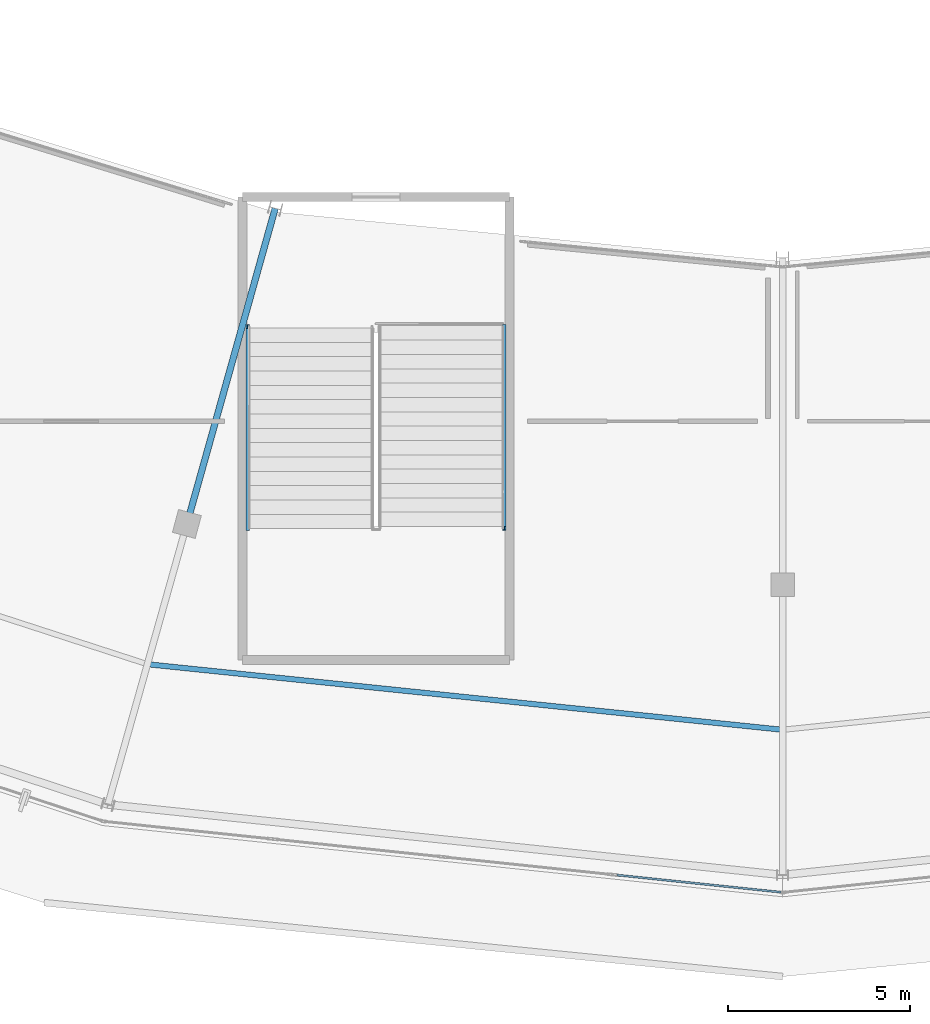
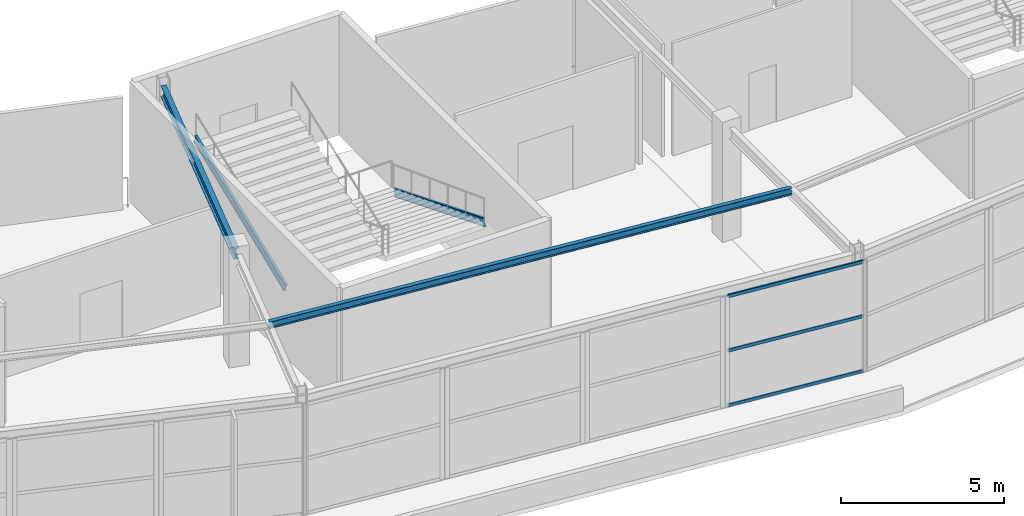
# One storey, part 36 of 126: 5 members, 2 beams, 1 element without a shape of its own.
"""IFC4 building model written with IfcOpenShell, lengths in metres."""

from ifc_helpers import new_model, si_unit, direction, frame, origin, origin_2d, place, context, subcontext, project, spatial, hollow_rectangle, i_section, extrude, material, layer, layer_set, material_profile, profile_set, type_object, element, aggregate, save


model = new_model("IFC4")

# Units and contexts
model_context = context("Model", 3, precision=1e-05, world=origin(), true_north=direction((0.0, 1.0)))
body_context = subcontext(model_context, "Body", "Model", "MODEL_VIEW")
ifc_project = project(units=[si_unit("LENGTHUNIT", "METRE"), si_unit("AREAUNIT", "SQUARE_METRE"), si_unit("VOLUMEUNIT", "CUBIC_METRE"), si_unit("PLANEANGLEUNIT", "RADIAN"), si_unit("MASSUNIT", "GRAM", prefix="KILO")], contexts=[model_context])

# Site, building, storey
site_placement = place(None, origin())
site = spatial("IfcSite", under=ifc_project, at=site_placement, CompositionType="ELEMENT")
building_placement = place(site_placement, origin())
building = spatial("IfcBuilding", under=site, at=building_placement, Name="Kalgoora Escarpment Arena", CompositionType="ELEMENT")
storey_placement = place(building_placement, frame((0.0, 0.0, 18.89990234375)))
storey = spatial("IfcBuildingStorey", under=building, at=storey_placement, Name="L04", CompositionType="ELEMENT", Elevation=18.89990234375)

# Beams
ifc_material_1 = material(Name="Structural steel AS/NZS 3679 (300 MPa)", Category="steel")
ifc_material_profile_1 = material_profile(ifc_material_1, i_section(OverallWidth=0.14599609375, OverallDepth=0.256103515625, WebThickness=0.00634765625, FlangeThickness=0.010986328125, at=origin_2d()))
ifc_profile_set_1 = profile_set([ifc_material_profile_1], Name="Structural steel AS/NZS 3679 (300 MPa)")
beam_type_1 = type_object("IfcBeamType", Name="BM-BEAM-250UB37.3", PredefinedType="BEAM", material=ifc_profile_set_1)
beam_1_placement = place(storey_placement, frame((74.90380859375, 12.805908203125, 4.08203125), z_axis=(0.994715233773, -0.102672312238, 0.0), x_axis=(0.102672312238, 0.994715233773, 0.0)))
element("IfcBeam", 1, at=beam_1_placement, inside=storey, type_object=beam_type_1, Name="L04 Concourse secondary ring beam 250UB37.3", PredefinedType="BEAM", context=body_context, shape_type="SweptSolid", body=[
    extrude(i_section(OverallWidth=0.14599609375, OverallDepth=0.256103515625, WebThickness=0.00634765625, FlangeThickness=0.010986328125, at=origin_2d()), origin(), (0.0, 0.0, 1.0), 17.589111328125),
])
ifc_material_2 = material(Name="Structural steel AS/NZS 3679 (300 MPa)", Category="steel")
ifc_material_profile_2 = material_profile(ifc_material_2, i_section(OverallWidth=0.177978515625, OverallDepth=0.406005859375, WebThickness=0.0078125, FlangeThickness=0.0126953125, at=origin_2d()))
ifc_profile_set_2 = profile_set([ifc_material_profile_2], Name="Structural steel AS/NZS 3679 (300 MPa)")
beam_type_2 = type_object("IfcBeamType", Name="BM-GIRDER-410UB59.7", PredefinedType="USERDEFINED", material=ifc_profile_set_2)
beam_2_placement = place(storey_placement, frame((78.423828125, 25.363037109375, 4.007080078125), z_axis=(-0.269498512386, -0.963000805722, 0.0), x_axis=(0.963000805722, -0.269498512386, 0.0)))
element("IfcBeam", 2, at=beam_2_placement, inside=storey, type_object=beam_type_2, Name="L04 Radial concourse girder 410UB59.7", ObjectType="GIRDER", PredefinedType="USERDEFINED", context=body_context, shape_type="SweptSolid", body=[
    extrude(i_section(OverallWidth=0.177978515625, OverallDepth=0.406005859375, WebThickness=0.0078125, FlangeThickness=0.0126953125, at=origin_2d()), origin(), (0.0, 0.0, 1.0), 9.02734375),
])

# Curtain wall, members
ifc_material_3 = material(Name=" Champagne anodised aluminium & double-glazed low-E", Category="aluminium")
ifc_layer = layer(ifc_material_3, 0.14990234375)
ifc_layer_set = layer_set([ifc_layer], Name="CW-UNIT-15")
curtain_wall_type = type_object("IfcCurtainWallType", Name="CW-UNIT-15", PredefinedType="NOTDEFINED", material=ifc_layer_set)
curtain_wall_placement = place(storey_placement, origin())
curtain_wall = element("IfcCurtainWall", 3, at=curtain_wall_placement, inside=storey, type_object=curtain_wall_type, Name="L04 unitised facade curtain wall 114", PredefinedType="NOTDEFINED")
ifc_material_4 = material(Name="Anodised aluminium 6063-T6", Category="aluminium")
ifc_material_profile_3 = material_profile(ifc_material_4, hollow_rectangle(XDim=0.054931640625, YDim=0.1201171875, WallThickness=0.003173828125, at=origin_2d()))
ifc_profile_set_3 = profile_set([ifc_material_profile_3], Name="Anodised aluminium 6063-T6")
member_type_1 = type_object("IfcMemberType", Name="MEM-CW-TRAN-120", PredefinedType="USERDEFINED", material=ifc_profile_set_3)
member_1_placement = place(storey_placement, frame((92.352783203125, 6.525634765625, 0.047607421875), z_axis=(-0.994560999051, 0.104155744764, 0.0), x_axis=(-0.104155744764, -0.994560999051, 0.0)))
member_1 = element("IfcMember", 4, at=member_1_placement, type_object=member_type_1, Name="CW-15 transom 1.1", ObjectType="TRANSOM", PredefinedType="USERDEFINED", context=body_context, shape_type="SweptSolid", body=[
    extrude(hollow_rectangle(XDim=0.054931640625, YDim=0.1201171875, WallThickness=0.003173828125, at=origin_2d()), origin(), (0.0, 0.0, 1.0), 4.540283203125),
])
member_2_placement = place(storey_placement, frame((92.352783203125, 6.525634765625, 2.10498046875), z_axis=(-0.994560999051, 0.104155744764, 0.0), x_axis=(-0.104155744764, -0.994560999051, 0.0)))
member_2 = element("IfcMember", 5, at=member_2_placement, type_object=member_type_1, Name="CW-15 transom 1.2", ObjectType="TRANSOM", PredefinedType="USERDEFINED", context=body_context, shape_type="SweptSolid", body=[
    extrude(hollow_rectangle(XDim=0.054931640625, YDim=0.1201171875, WallThickness=0.003173828125, at=origin_2d()), origin(), (0.0, 0.0, 1.0), 4.540283203125),
])
member_3_placement = place(storey_placement, frame((92.352783203125, 6.525634765625, 4.142578125), z_axis=(-0.994560999051, 0.104155744764, 0.0), x_axis=(-0.104155744764, -0.994560999051, 0.0)))
member_3 = element("IfcMember", 6, at=member_3_placement, type_object=member_type_1, Name="CW-15 transom 1.3", ObjectType="TRANSOM", PredefinedType="USERDEFINED", context=body_context, shape_type="SweptSolid", body=[
    extrude(hollow_rectangle(XDim=0.054931640625, YDim=0.1201171875, WallThickness=0.003173828125, at=origin_2d()), origin(), (0.0, 0.0, 1.0), 4.540283203125),
])
aggregate(curtain_wall, [member_1, member_2, member_3])

# Members
ifc_material_5 = material(Name="Structural steel AS/NZS 3679 (300 MPa)", Category="steel")
ifc_material_profile_4 = material_profile(ifc_material_5, i_section(OverallWidth=0.090087890625, OverallDepth=0.300048828125, WebThickness=0.008056640625, FlangeThickness=0.01611328125, at=origin_2d()))
ifc_profile_set_4 = profile_set([ifc_material_profile_4], Name="Structural steel AS/NZS 3679 (300 MPa)")
member_type_2 = type_object("IfcMemberType", Name="MEM-STRINGER-PFC", PredefinedType="STRINGER", material=ifc_profile_set_4)
for number, where, z_axis, x_axis, name in (
    (7, (84.72998046875, 22.110107421875, -0.039794921875), (0.0, -0.926975796404, 0.375121144273), (1.0, 0.0, 0.0), "ST14 L04 steel stair stringer 1"),
    (8, (77.669921875, 16.550048828125, 2.210205078125), (0.0, 0.926975796404, 0.375121144273), (-1.0, 0.0, 0.0), "ST14 L04 steel stair stringer 2"),
):
    element("IfcMember", number, at=place(storey_placement, frame(where, z_axis=z_axis, x_axis=x_axis)), inside=storey, type_object=member_type_2, Name=name, PredefinedType="STRINGER", context=body_context, shape_type="SweptSolid", body=[
        extrude(i_section(OverallWidth=0.090087890625, OverallDepth=0.300048828125, WebThickness=0.008056640625, FlangeThickness=0.01611328125, at=origin_2d()), origin(), (0.0, 0.0, 1.0), 5.998046875),
    ])

save(model, "model.ifc")
